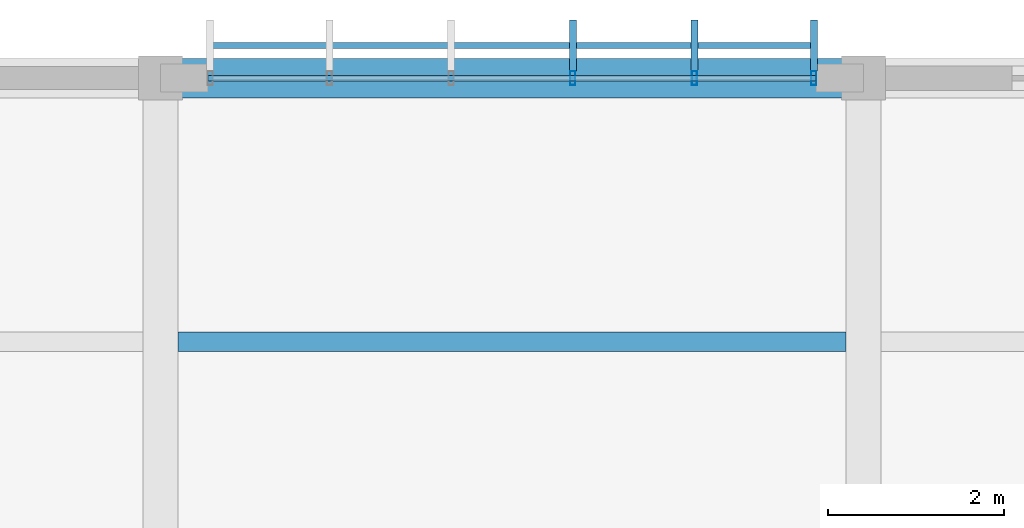
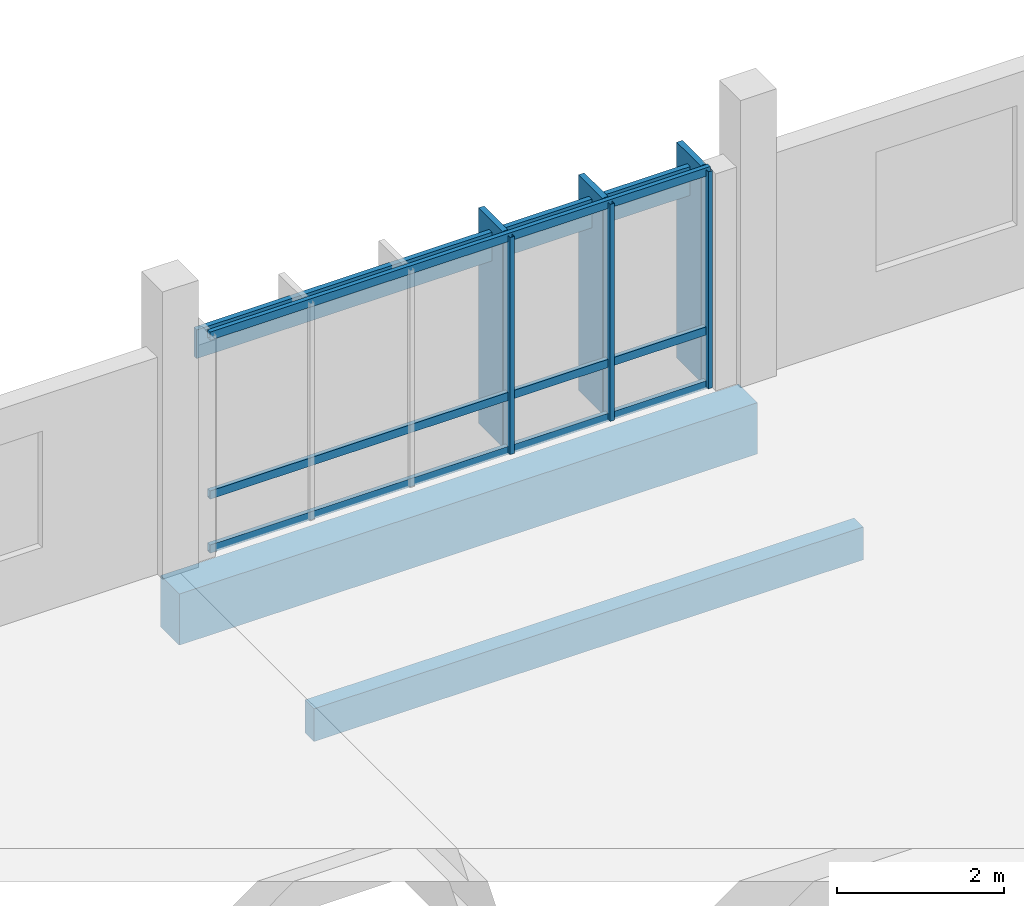
# One storey, part 128 of 182: 10 members, 2 beams, 1 element without a shape of its own.
"""IFC4 building model written with IfcOpenShell, lengths in metres."""

from ifc_helpers import new_model, si_unit, direction, frame, origin, origin_2d, place, context, subcontext, project, spatial, rectangle, hollow_rectangle, extrude, material, material_profile, profile_set, type_object, element, aggregate, save


model = new_model("IFC4")

# Units and contexts
model_context = context("Model", 3, precision=1e-05, world=origin(), true_north=direction((0.0, 1.0)))
body_context = subcontext(model_context, "Body", "Model", "MODEL_VIEW")
ifc_project = project(units=[si_unit("LENGTHUNIT", "METRE"), si_unit("AREAUNIT", "SQUARE_METRE"), si_unit("VOLUMEUNIT", "CUBIC_METRE"), si_unit("PLANEANGLEUNIT", "RADIAN"), si_unit("MASSUNIT", "GRAM", prefix="KILO")], contexts=[model_context])

# Site, building, storey
site_placement = place(None, origin())
site = spatial("IfcSite", under=ifc_project, at=site_placement, CompositionType="ELEMENT")
building_placement = place(site_placement, origin())
building = spatial("IfcBuilding", under=site, at=building_placement, Name="Chiffa Square Polytechnic", CompositionType="ELEMENT")
storey_placement = place(building_placement, frame((0.0, 0.0, 9.60009765625)))
storey = spatial("IfcBuildingStorey", under=building, at=storey_placement, Name="L02", CompositionType="ELEMENT", Elevation=9.60009765625)

# Beam
ifc_material_1 = material(Name="Concrete C35/45", Category="concrete")
ifc_material_profile_1 = material_profile(ifc_material_1, rectangle(XDim=0.449951171875, YDim=0.75, at=origin_2d()), Name="RC 450x750")
ifc_profile_set_1 = profile_set([ifc_material_profile_1], Name="Concrete C35/45")
beam_type_1 = type_object("IfcBeamType", Name="BM-RC-450X750", PredefinedType="BEAM", material=ifc_profile_set_1)
beam_1_placement = place(storey_placement, frame((24.0, 130.800048828125, -0.695068359375), z_axis=(1.0, 0.0, 0.0), x_axis=(0.0, 1.0, 0.0)))
element("IfcBeam", 1, at=beam_1_placement, inside=storey, type_object=beam_type_1, Name="Primary floor girder BM-V5-L02-X-0240-1308", PredefinedType="BEAM", context=body_context, shape_type="SweptSolid", body=[
    extrude(rectangle(XDim=0.449951171875, YDim=0.75, at=origin_2d()), origin(), (0.0, 0.0, 1.0), 8.0),
])

# Curtain wall, members
ifc_material_2 = material(Name="Aluminium EN AW-6060 T66 and glulam shading", Category="wood")
curtain_wall_type = type_object("IfcCurtainWallType", Name="CW-VERT-480X380", PredefinedType="USERDEFINED", material=ifc_material_2)
curtain_wall_placement = place(storey_placement, origin())
curtain_wall = element("IfcCurtainWall", 2, at=curtain_wall_placement, inside=storey, type_object=curtain_wall_type, Name="Curtain wall CW-V5-L02-222", ObjectType="CURTAIN WALL", PredefinedType="USERDEFINED")
ifc_material_3 = material(Name="Aluminium EN AW-6060 T66", Category="aluminium")
ifc_material_profile_2 = material_profile(ifc_material_3, hollow_rectangle(XDim=0.06005859375, YDim=0.159912109375, WallThickness=0.00390625, at=origin_2d()), Name="ALU 60x160x4")
ifc_profile_set_2 = profile_set([ifc_material_profile_2], Name="Aluminium EN AW-6060 T66")
member_type_1 = type_object("IfcMemberType", Name="CWM-ALU-65X150", PredefinedType="MULLION", material=ifc_profile_set_2)
member_1_placement = place(storey_placement, frame((31.43505859375, 130.800048828125, 0.0), z_axis=(0.0, 0.0, 1.0), x_axis=(1.0, 0.0, 0.0)))
member_1 = element("IfcMember", 3, at=member_1_placement, type_object=member_type_1, Name="Curtain wall mullion CW-V5-L02-222-M00", PredefinedType="MULLION", context=body_context, shape_type="SweptSolid", body=[
    extrude(hollow_rectangle(XDim=0.06005859375, YDim=0.159912109375, WallThickness=0.00390625, at=origin_2d()), origin(), (0.0, 0.0, 1.0), 3.1748046875),
])
member_2_placement = place(storey_placement, frame((30.075927734375, 130.800048828125, 0.0), z_axis=(0.0, 0.0, 1.0), x_axis=(1.0, 0.0, 0.0)))
member_2 = element("IfcMember", 4, at=member_2_placement, type_object=member_type_1, Name="Curtain wall mullion CW-V5-L02-222-M01", PredefinedType="MULLION", context=body_context, shape_type="SweptSolid", body=[
    extrude(hollow_rectangle(XDim=0.06005859375, YDim=0.159912109375, WallThickness=0.00390625, at=origin_2d()), origin(), (0.0, 0.0, 1.0), 3.1748046875),
])
member_3_placement = place(storey_placement, frame((28.69189453125, 130.800048828125, 0.0), z_axis=(0.0, 0.0, 1.0), x_axis=(1.0, 0.0, 0.0)))
member_3 = element("IfcMember", 5, at=member_3_placement, type_object=member_type_1, Name="Curtain wall mullion CW-V5-L02-222-M02", PredefinedType="MULLION", context=body_context, shape_type="SweptSolid", body=[
    extrude(hollow_rectangle(XDim=0.06005859375, YDim=0.159912109375, WallThickness=0.00390625, at=origin_2d()), origin(), (0.0, 0.0, 1.0), 3.1748046875),
])
ifc_material_4 = material(Name="Glulam GL28h", Category="wood")
ifc_material_profile_3 = material_profile(ifc_material_4, rectangle(XDim=0.080078125, YDim=0.580078125, at=origin_2d()), Name="GL28h 80x580")
ifc_profile_set_3 = profile_set([ifc_material_profile_3], Name="Glulam GL28h")
member_type_2 = type_object("IfcMemberType", Name="CWM-GL-80X580", PredefinedType="MULLION", material=ifc_profile_set_3)
member_4_placement = place(storey_placement, frame((31.43505859375, 131.172119140625, 0.010009765625), z_axis=(0.0, 0.0, 1.0), x_axis=(-1.0, 0.0, 0.0)))
member_4 = element("IfcMember", 6, at=member_4_placement, type_object=member_type_2, Name="Exterior glulam solar fin CW-V5-L02-222-FN00", PredefinedType="MULLION", context=body_context, shape_type="SweptSolid", body=[
    extrude(rectangle(XDim=0.080078125, YDim=0.580078125, at=origin_2d()), origin(), (0.0, 0.0, 1.0), 3.15478515625),
])
member_5_placement = place(storey_placement, frame((30.075927734375, 131.172119140625, 0.010009765625), z_axis=(0.0, 0.0, 1.0), x_axis=(-1.0, 0.0, 0.0)))
member_5 = element("IfcMember", 7, at=member_5_placement, type_object=member_type_2, Name="Exterior glulam solar fin CW-V5-L02-222-FN01", PredefinedType="MULLION", context=body_context, shape_type="SweptSolid", body=[
    extrude(rectangle(XDim=0.080078125, YDim=0.580078125, at=origin_2d()), origin(), (0.0, 0.0, 1.0), 3.15478515625),
])
member_6_placement = place(storey_placement, frame((28.69189453125, 131.172119140625, 0.010009765625), z_axis=(0.0, 0.0, 1.0), x_axis=(-1.0, 0.0, 0.0)))
member_6 = element("IfcMember", 8, at=member_6_placement, type_object=member_type_2, Name="Exterior glulam solar fin CW-V5-L02-222-FN02", PredefinedType="MULLION", context=body_context, shape_type="SweptSolid", body=[
    extrude(rectangle(XDim=0.080078125, YDim=0.580078125, at=origin_2d()), origin(), (0.0, 0.0, 1.0), 3.15478515625),
])
ifc_material_profile_4 = material_profile(ifc_material_3, hollow_rectangle(XDim=0.06005859375, YDim=0.1201171875, WallThickness=0.00390625, at=origin_2d()), Name="ALU 60x120x4")
ifc_profile_set_4 = profile_set([ifc_material_profile_4], Name="Aluminium EN AW-6060 T66")
member_type_3 = type_object("IfcMemberType", Name="CWT-ALU-65X120", PredefinedType="USERDEFINED", material=ifc_profile_set_4)
member_7_placement = place(storey_placement, frame((31.4619140625, 130.800048828125, 0.02978515625), z_axis=(-1.0, 0.0, 0.0), x_axis=(0.0, -1.0, 0.0)))
member_7 = element("IfcMember", 9, at=member_7_placement, type_object=member_type_3, Name="Curtain wall transom CW-V5-L02-222-T01", ObjectType="TRANSOM", PredefinedType="USERDEFINED", context=body_context, shape_type="SweptSolid", body=[
    extrude(hollow_rectangle(XDim=0.06005859375, YDim=0.1201171875, WallThickness=0.00390625, at=origin_2d()), origin(), (0.0, 0.0, 1.0), 6.923828125),
])
member_8_placement = place(storey_placement, frame((31.4619140625, 130.800048828125, 0.81982421875), z_axis=(-1.0, 0.0, 0.0), x_axis=(0.0, -1.0, 0.0)))
member_8 = element("IfcMember", 10, at=member_8_placement, type_object=member_type_3, Name="Curtain wall transom CW-V5-L02-222-T02", ObjectType="TRANSOM", PredefinedType="USERDEFINED", context=body_context, shape_type="SweptSolid", body=[
    extrude(hollow_rectangle(XDim=0.06005859375, YDim=0.1201171875, WallThickness=0.00390625, at=origin_2d()), origin(), (0.0, 0.0, 1.0), 6.923828125),
])
member_9_placement = place(storey_placement, frame((31.4619140625, 130.800048828125, 3.14501953125), z_axis=(-1.0, 0.0, 0.0), x_axis=(0.0, -1.0, 0.0)))
member_9 = element("IfcMember", 11, at=member_9_placement, type_object=member_type_3, Name="Curtain wall transom CW-V5-L02-222-T03", ObjectType="TRANSOM", PredefinedType="USERDEFINED", context=body_context, shape_type="SweptSolid", body=[
    extrude(hollow_rectangle(XDim=0.06005859375, YDim=0.1201171875, WallThickness=0.00390625, at=origin_2d()), origin(), (0.0, 0.0, 1.0), 6.923828125),
])
ifc_material_profile_5 = material_profile(ifc_material_4, rectangle(XDim=0.070068359375, YDim=0.419921875, at=origin_2d()), Name="GL28h 70x420")
ifc_profile_set_5 = profile_set([ifc_material_profile_5], Name="Glulam GL28h")
member_type_4 = type_object("IfcMemberType", Name="CWT-GL-70X420", PredefinedType="USERDEFINED", material=ifc_profile_set_5)
member_10_placement = place(storey_placement, frame((31.43505859375, 131.172119140625, 2.794921875), z_axis=(-1.0, 0.0, 0.0), x_axis=(0.0, -1.0, 0.0)))
member_10 = element("IfcMember", 12, at=member_10_placement, type_object=member_type_4, Name="Exterior glulam brise-soleil CW-V5-L02-222-BS01", ObjectType="TRANSOM", PredefinedType="USERDEFINED", context=body_context, shape_type="SweptSolid", body=[
    extrude(rectangle(XDim=0.070068359375, YDim=0.419921875, at=origin_2d()), origin(), (0.0, 0.0, 1.0), 6.8701171875),
])
aggregate(curtain_wall, [member_1, member_4, member_2, member_5, member_3, member_6, member_7, member_8, member_9, member_10])

# Beam
ifc_material_profile_6 = material_profile(ifc_material_4, rectangle(XDim=0.219970703125, YDim=0.47998046875, at=origin_2d()), Name="GL28h 220x480")
ifc_profile_set_6 = profile_set([ifc_material_profile_6], Name="Glulam GL28h")
beam_type_2 = type_object("IfcBeamType", Name="JST-GL-220X480", PredefinedType="JOIST", material=ifc_profile_set_6)
beam_2_placement = place(storey_placement, frame((24.197998046875, 127.800048828125, -0.56005859375), z_axis=(1.0, 0.0, 0.0), x_axis=(0.0, 1.0, 0.0)))
element("IfcBeam", 13, at=beam_2_placement, inside=storey, type_object=beam_type_2, Name="Secondary floor joist JST-V5-L02-0240-1278", PredefinedType="JOIST", context=body_context, shape_type="SweptSolid", body=[
    extrude(rectangle(XDim=0.219970703125, YDim=0.47998046875, at=origin_2d()), origin(), (0.0, 0.0, 1.0), 7.60400390625),
])

save(model, "model.ifc")
